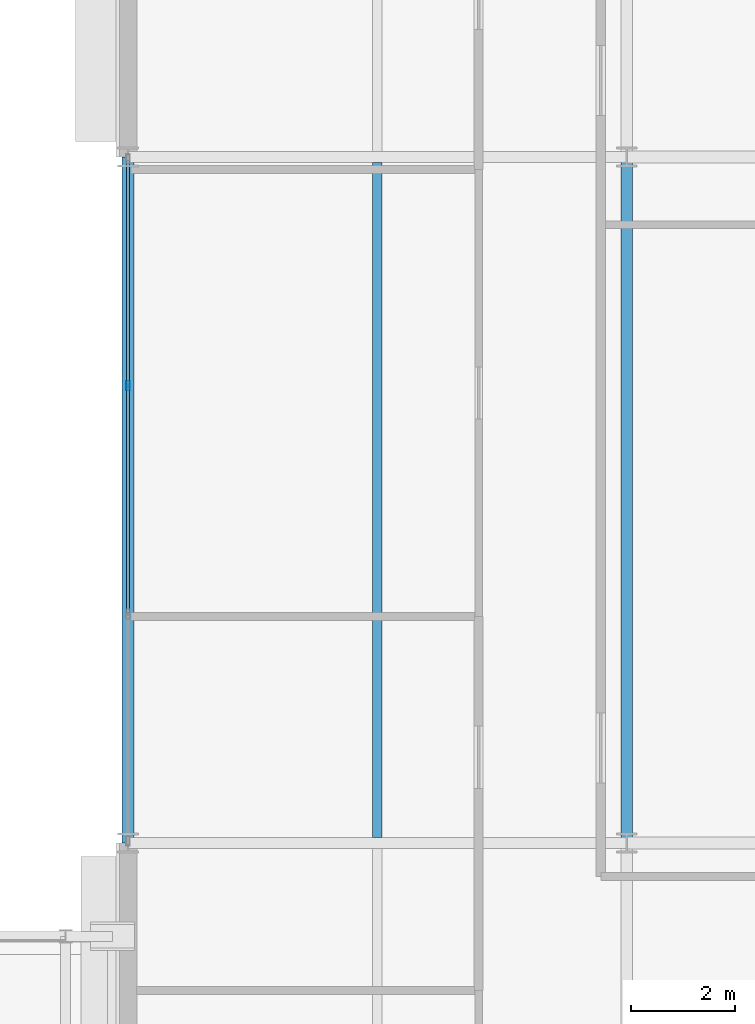
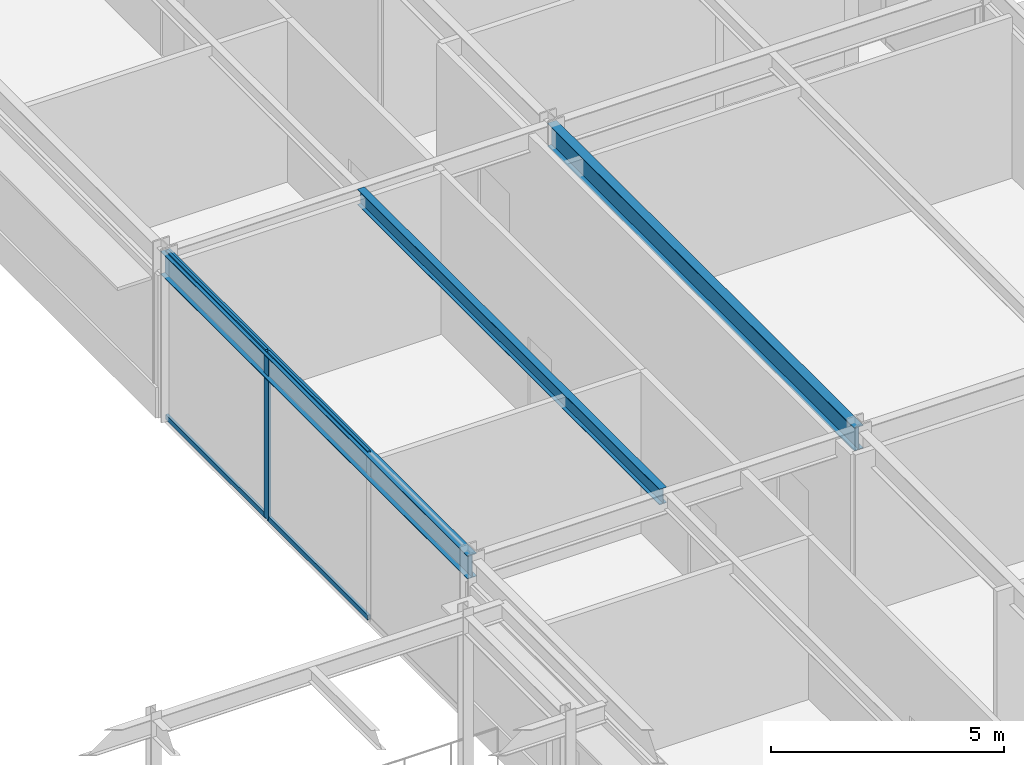
# One storey, part 100 of 157: 5 members, 3 beams, 1 element without a shape of its own.
"""IFC4 building model written with IfcOpenShell, lengths in metres."""

from ifc_helpers import new_model, si_unit, direction, frame, origin, origin_2d, place, context, subcontext, project, spatial, hollow_rectangle, i_section, extrude, material, material_profile, profile_set, type_object, element, aggregate, save


model = new_model("IFC4")

# Units and contexts
model_context = context("Model", 3, precision=1e-05, world=origin(), true_north=direction((0.0, 1.0)))
body_context = subcontext(model_context, "Body", "Model", "MODEL_VIEW")
ifc_project = project(units=[si_unit("LENGTHUNIT", "METRE"), si_unit("AREAUNIT", "SQUARE_METRE"), si_unit("VOLUMEUNIT", "CUBIC_METRE"), si_unit("PLANEANGLEUNIT", "RADIAN"), si_unit("MASSUNIT", "GRAM", prefix="KILO")], contexts=[model_context])

# Site, building, storey
site_placement = place(None, origin())
site = spatial("IfcSite", under=ifc_project, at=site_placement, CompositionType="ELEMENT")
building_placement = place(site_placement, origin())
building = spatial("IfcBuilding", under=site, at=building_placement, Name="Almandine Court Research Institute", CompositionType="ELEMENT")
storey_placement = place(building_placement, frame((0.0, 0.0, 5.25)))
storey = spatial("IfcBuildingStorey", under=building, at=storey_placement, Name="L01", CompositionType="ELEMENT", Elevation=5.25)

# Beams
ifc_material_1 = material(Name="Steel ASTM A992 Grade 50", Category="steel")
ifc_material_profile_1 = material_profile(ifc_material_1, i_section(OverallWidth=0.178955078125, OverallDepth=0.409912109375, WebThickness=0.009033203125, FlangeThickness=0.013916015625, at=origin_2d()), Name="W410x67")
ifc_profile_set_1 = profile_set([ifc_material_profile_1], Name="Steel ASTM A992 Grade 50")
beam_type_1 = type_object("IfcBeamType", Name="Beam-B-02", PredefinedType="JOIST", material=ifc_profile_set_1)
beam_placement = place(storey_placement, frame((158.39990234375, 57.702880859375, 4.1650390625), z_axis=(0.0, 1.0, 0.0), x_axis=(-1.0, 0.0, 0.0)))
element("IfcBeam", 1, at=beam_placement, inside=storey, type_object=beam_type_1, Name="L01 V4 Composite Secondary Beam", PredefinedType="JOIST", context=body_context, shape_type="SweptSolid", body=[
    extrude(i_section(OverallWidth=0.178955078125, OverallDepth=0.409912109375, WebThickness=0.009033203125, FlangeThickness=0.013916015625, at=origin_2d()), origin(), (0.0, 0.0, 1.0), 12.994140625),
])
ifc_material_profile_2 = material_profile(ifc_material_1, i_section(OverallWidth=0.22802734375, OverallDepth=0.60791015625, WebThickness=0.010986328125, FlangeThickness=0.01708984375, at=origin_2d()), Name="W610x113")
ifc_profile_set_2 = profile_set([ifc_material_profile_2], Name="Steel ASTM A992 Grade 50")
beam_type_2 = type_object("IfcBeamType", Name="Beam-G-03", PredefinedType="BEAM", material=ifc_profile_set_2)
for number, where, z_axis, x_axis, name in (
    (2, (153.60009765625, 57.60009765625, 4.06591796875), (0.0, 1.0, 0.0), (-1.0, 0.0, 0.0), "L01 V4 Primary Y Girder"),
    (3, (163.199951171875, 57.60009765625, 4.06591796875), (0.0, 1.0, 0.0), (-1.0, 0.0, 0.0), "L01 V4 Primary Y Girder"),
):
    element("IfcBeam", number, at=place(storey_placement, frame(where, z_axis=z_axis, x_axis=x_axis)), inside=storey, type_object=beam_type_2, Name=name, PredefinedType="BEAM", context=body_context, shape_type="SweptSolid", body=[
        extrude(i_section(OverallWidth=0.22802734375, OverallDepth=0.60791015625, WebThickness=0.010986328125, FlangeThickness=0.01708984375, at=origin_2d()), origin(), (0.0, 0.0, 1.0), 13.199951171875),
    ])

# Curtain wall, members
ifc_material_2 = material(Name="Unitised Curtain Wall Framing and Solar Glazing", Category="glass")
curtain_wall_type = type_object("IfcCurtainWallType", Name="CW-CWJ-15", PredefinedType="USERDEFINED", material=ifc_material_2)
curtain_wall_placement = place(storey_placement, origin())
curtain_wall = element("IfcCurtainWall", 4, at=curtain_wall_placement, inside=storey, type_object=curtain_wall_type, Name="L01 Wet Lab West Courtyard Jali Curtain Wall 6", ObjectType="SOLAR JALI SCREEN", PredefinedType="USERDEFINED")
ifc_material_3 = material(Name="Anodised Aluminium AW-6063-T6", Category="aluminium")
ifc_material_profile_3 = material_profile(ifc_material_3, hollow_rectangle(XDim=0.06494140625, YDim=0.179931640625, WallThickness=0.00390625, at=origin_2d()), Name="ALU RHS 65x180x4")
ifc_profile_set_3 = profile_set([ifc_material_profile_3], Name="Anodised Aluminium AW-6063-T6")
member_type_1 = type_object("IfcMemberType", Name="CWMul-65x180", PredefinedType="MULLION", material=ifc_profile_set_3)
member_1_placement = place(storey_placement, frame((153.60009765625, 66.398681640625, 0.0), z_axis=(0.0, 0.0, 1.0), x_axis=(-1.0, 0.0, 0.0)))
member_1 = element("IfcMember", 5, at=member_1_placement, type_object=member_type_1, Name="CWJ-15 mullion 3", PredefinedType="MULLION", context=body_context, shape_type="SweptSolid", body=[
    extrude(hollow_rectangle(XDim=0.06494140625, YDim=0.179931640625, WallThickness=0.00390625, at=origin_2d()), origin(), (0.0, 0.0, 1.0), 4.3701171875),
])
ifc_material_profile_4 = material_profile(ifc_material_3, hollow_rectangle(XDim=0.06494140625, YDim=0.1298828125, WallThickness=0.00390625, at=origin_2d()), Name="ALU RHS 65x130x4")
ifc_profile_set_4 = profile_set([ifc_material_profile_4], Name="Anodised Aluminium AW-6063-T6")
member_type_2 = type_object("IfcMemberType", Name="CWTrn-65x130", PredefinedType="NOTDEFINED", material=ifc_profile_set_4)
member_2_placement = place(storey_placement, frame((153.60009765625, 62.033935546875, 0.032470703125), z_axis=(0.0, 1.0, 0.0), x_axis=(-1.0, 0.0, 0.0)))
member_2 = element("IfcMember", 6, at=member_2_placement, type_object=member_type_2, Name="CWJ-15 transom 2.1", ObjectType="TRANSOM", PredefinedType="USERDEFINED", context=body_context, shape_type="SweptSolid", body=[
    extrude(hollow_rectangle(XDim=0.06494140625, YDim=0.1298828125, WallThickness=0.00390625, at=origin_2d()), origin(), (0.0, 0.0, 1.0), 4.332275390625),
])
member_3_placement = place(storey_placement, frame((153.60009765625, 62.033935546875, 4.33740234375), z_axis=(0.0, 1.0, 0.0), x_axis=(-1.0, 0.0, 0.0)))
member_3 = element("IfcMember", 7, at=member_3_placement, type_object=member_type_2, Name="CWJ-15 transom 2.2", ObjectType="TRANSOM", PredefinedType="USERDEFINED", context=body_context, shape_type="SweptSolid", body=[
    extrude(hollow_rectangle(XDim=0.06494140625, YDim=0.1298828125, WallThickness=0.00390625, at=origin_2d()), origin(), (0.0, 0.0, 1.0), 4.332275390625),
])
member_4_placement = place(storey_placement, frame((153.60009765625, 66.43115234375, 0.032470703125), z_axis=(0.0, 1.0, 0.0), x_axis=(-1.0, 0.0, 0.0)))
member_4 = element("IfcMember", 8, at=member_4_placement, type_object=member_type_2, Name="CWJ-15 transom 3.1", ObjectType="TRANSOM", PredefinedType="USERDEFINED", context=body_context, shape_type="SweptSolid", body=[
    extrude(hollow_rectangle(XDim=0.06494140625, YDim=0.1298828125, WallThickness=0.00390625, at=origin_2d()), origin(), (0.0, 0.0, 1.0), 4.2998046875),
])
member_5_placement = place(storey_placement, frame((153.60009765625, 66.43115234375, 4.33740234375), z_axis=(0.0, 1.0, 0.0), x_axis=(-1.0, 0.0, 0.0)))
member_5 = element("IfcMember", 9, at=member_5_placement, type_object=member_type_2, Name="CWJ-15 transom 3.2", ObjectType="TRANSOM", PredefinedType="USERDEFINED", context=body_context, shape_type="SweptSolid", body=[
    extrude(hollow_rectangle(XDim=0.06494140625, YDim=0.1298828125, WallThickness=0.00390625, at=origin_2d()), origin(), (0.0, 0.0, 1.0), 4.2998046875),
])
aggregate(curtain_wall, [member_1, member_2, member_3, member_4, member_5])

save(model, "model.ifc")
